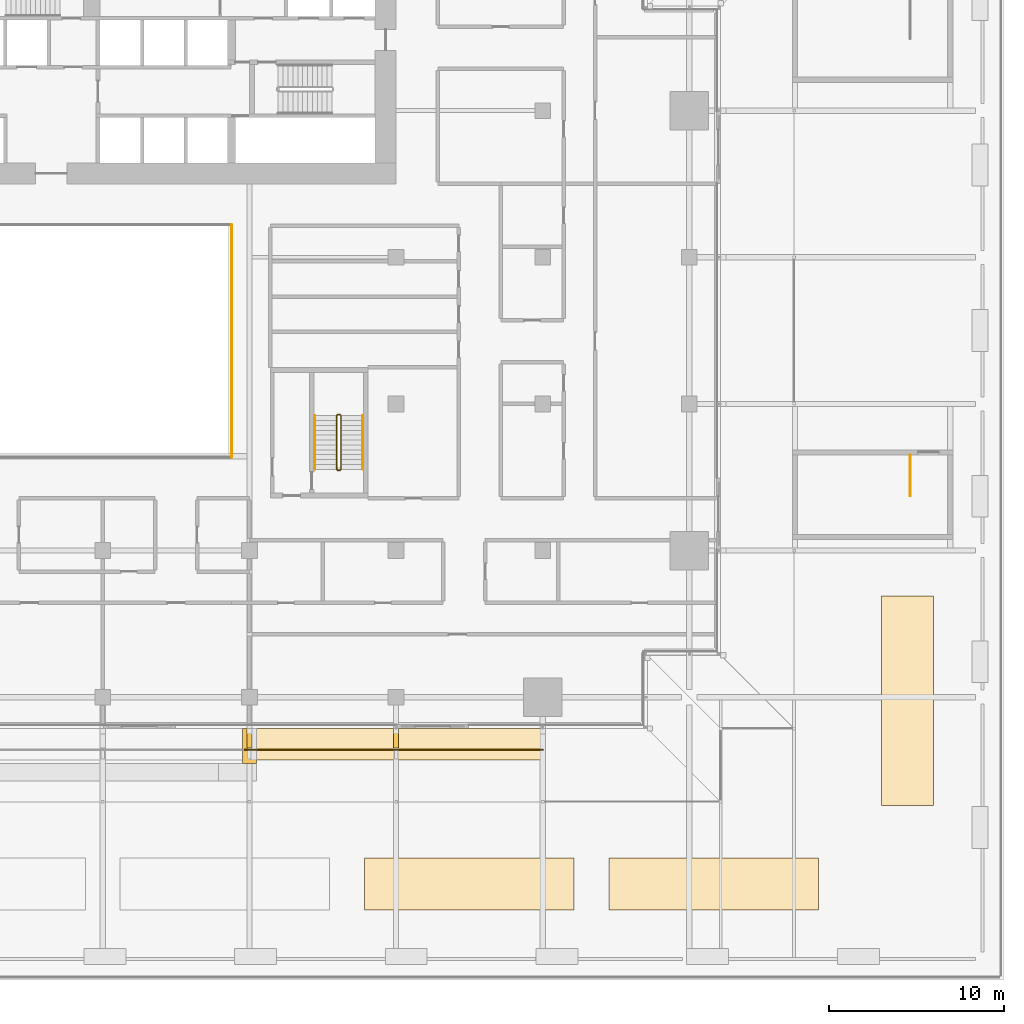
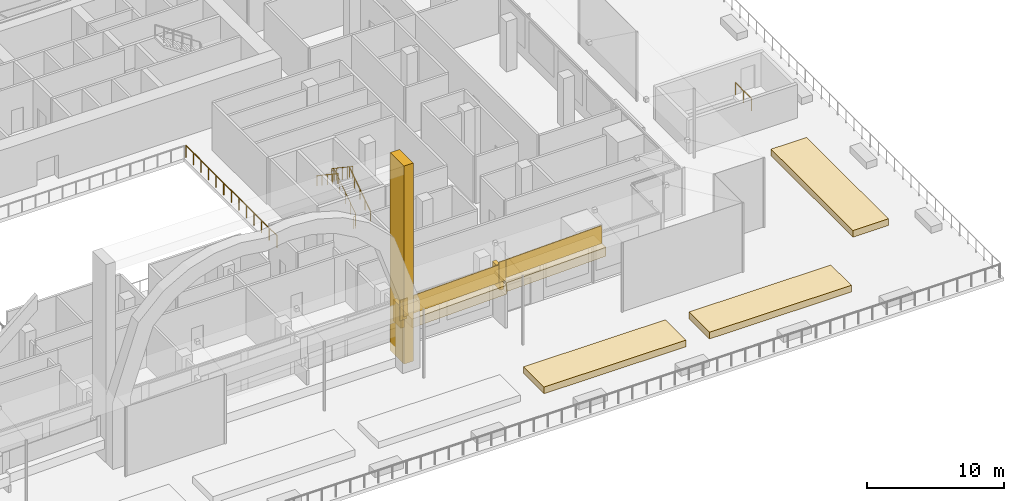
# One storey, part 49 of 60: 10 railings, 8 coverings.
"""IFC4 building model written with IfcOpenShell, lengths in metres."""

from ifc_helpers import new_model, si_unit, direction, frame, origin, origin_2d, place, context, subcontext, project, spatial, polyline, rectangle, circle, outline, extrude, material, layer, layer_set, type_object, element, save


model = new_model("IFC4")

# Units and contexts
model_context = context("Model", 3, precision=1e-05, world=origin(), true_north=direction((0.0, 1.0)))
body_context = subcontext(model_context, "Body", "Model", "MODEL_VIEW")
ifc_project = project(units=[si_unit("LENGTHUNIT", "METRE"), si_unit("AREAUNIT", "SQUARE_METRE"), si_unit("VOLUMEUNIT", "CUBIC_METRE"), si_unit("PLANEANGLEUNIT", "RADIAN"), si_unit("MASSUNIT", "GRAM", prefix="KILO")], contexts=[model_context])

# Site, building, storey
site_placement = place(None, origin())
site = spatial("IfcSite", under=ifc_project, at=site_placement, CompositionType="ELEMENT")
building_placement = place(site_placement, origin())
building = spatial("IfcBuilding", under=site, at=building_placement, Name="Saffron Gate Tower", CompositionType="ELEMENT")
storey_placement = place(building_placement, frame((0.0, 0.0, 19.199951171875)))
storey = spatial("IfcBuildingStorey", under=building, at=storey_placement, Name="L03", CompositionType="ELEMENT", Elevation=19.199951171875)

# Railings
ifc_material_1 = material(Name="Stainless steel and laminated glass", Category="steel")
railing_type_1 = type_object("IfcRailingType", Name="AG1 Atrium edge guard 1100", PredefinedType="GUARDRAIL", material=ifc_material_1)
railing_1_placement = place(storey_placement, frame((99.179931640625, 58.860107421875, 0.0)))
element("IfcRailing", 1, at=railing_1_placement, inside=storey, type_object=railing_type_1, Name="Guard S1-3", PredefinedType="GUARDRAIL", context=body_context, shape_type="SweptSolid", body=[
    extrude(circle(Radius=0.02392578125, at=origin_2d()), frame((0.0, 0.0, 1.076171875), z_axis=(0.0, -1.0, 0.0), x_axis=(1.0, 0.0, 0.0)), (0.0, 0.0, 1.0), 13.320068359375),
    extrude(circle(Radius=0.02099609375, at=origin_2d()), origin(), (0.0, 0.0, 1.0), 1.052001953125),
    extrude(circle(Radius=0.02099609375, at=origin_2d()), frame((0.0, -1.110107421875, 0.0)), (0.0, 0.0, 1.0), 1.052001953125),
    extrude(circle(Radius=0.02099609375, at=origin_2d()), frame((0.0, -2.219970703125, 0.0)), (0.0, 0.0, 1.0), 1.052001953125),
    extrude(circle(Radius=0.02099609375, at=origin_2d()), frame((0.0, -3.330078125, 0.0)), (0.0, 0.0, 1.0), 1.052001953125),
    extrude(circle(Radius=0.02099609375, at=origin_2d()), frame((0.0, -4.43994140625, 0.0)), (0.0, 0.0, 1.0), 1.052001953125),
    extrude(circle(Radius=0.02099609375, at=origin_2d()), frame((0.0, -5.550048828125, 0.0)), (0.0, 0.0, 1.0), 1.052001953125),
    extrude(circle(Radius=0.02099609375, at=origin_2d()), frame((0.0, -6.66015625, 0.0)), (0.0, 0.0, 1.0), 1.052001953125),
    extrude(circle(Radius=0.02099609375, at=origin_2d()), frame((0.0, -7.77001953125, 0.0)), (0.0, 0.0, 1.0), 1.052001953125),
    extrude(circle(Radius=0.02099609375, at=origin_2d()), frame((0.0, -8.880126953125, 0.0)), (0.0, 0.0, 1.0), 1.052001953125),
    extrude(circle(Radius=0.02099609375, at=origin_2d()), frame((0.0, -9.989990234375, 0.0)), (0.0, 0.0, 1.0), 1.052001953125),
    extrude(circle(Radius=0.02099609375, at=origin_2d()), frame((0.0, -11.10009765625, 0.0)), (0.0, 0.0, 1.0), 1.052001953125),
    extrude(circle(Radius=0.02099609375, at=origin_2d()), frame((0.0, -12.2099609375, 0.0)), (0.0, 0.0, 1.0), 1.052001953125),
    extrude(circle(Radius=0.02099609375, at=origin_2d()), frame((0.0, -13.320068359375, 0.0)), (0.0, 0.0, 1.0), 1.052001953125),
])
railing_type_2 = type_object("IfcRailingType", Name="CR1 Stair guard 1100", PredefinedType="GUARDRAIL", material=ifc_material_1)
railing_2_placement = place(storey_placement, frame((105.25, 44.800048828125, 0.0)))
element("IfcRailing", 2, at=railing_2_placement, inside=storey, type_object=railing_type_2, Name="L03 ST-E stair guard 1", PredefinedType="GUARDRAIL", context=body_context, shape_type="SweptSolid", body=[
    extrude(circle(Radius=0.02392578125, at=origin_2d()), frame((0.0, 0.0, 1.076171875), z_axis=(1.0, 0.0, 0.0), x_axis=(0.0, 1.0, 0.0)), (0.0, 0.0, 1.0), 0.14990234375),
    extrude(circle(Radius=0.02392578125, at=origin_2d()), frame((0.14990234375, 0.0, 1.076171875), z_axis=(0.249726431254, 0.249726431254, 0.935560483917), x_axis=(-0.707106781187, 0.707106781187, 0.0)), (0.0, 0.0, 1.0), 0.200439453125),
    extrude(circle(Radius=0.02392578125, at=origin_2d()), frame((0.199951171875, 0.050048828125, 1.263671875), z_axis=(0.0, 0.830893310487, 0.556431762742), x_axis=(-1.0, 0.0, 0.0)), (0.0, 0.0, 1.0), 3.70654296875),
    extrude(circle(Radius=0.02392578125, at=origin_2d()), frame((0.199951171875, 3.1298828125, 3.326171875), z_axis=(-0.707106781187, 0.707106781187, 0.0), x_axis=(-0.707106781187, -0.707106781187, 0.0)), (0.0, 0.0, 1.0), 0.07080078125),
    extrude(circle(Radius=0.02392578125, at=origin_2d()), frame((0.14990234375, 3.179931640625, 3.326171875), z_axis=(-1.0, 0.0, 0.0), x_axis=(0.0, -1.0, 0.0)), (0.0, 0.0, 1.0), 0.14990234375),
    extrude(circle(Radius=0.02392578125, at=origin_2d()), frame((0.0, 3.179931640625, 3.326171875), z_axis=(-0.249726431254, -0.249726431254, 0.935560483917), x_axis=(0.707106781187, -0.707106781187, 0.0)), (0.0, 0.0, 1.0), 0.200439453125),
    extrude(circle(Radius=0.02392578125, at=origin_2d()), frame((-0.050048828125, 3.1298828125, 3.513671875), z_axis=(0.0, -0.830893310487, 0.556431762742), x_axis=(1.0, 0.0, 0.0)), (0.0, 0.0, 1.0), 3.70654296875),
    extrude(circle(Radius=0.02099609375, at=origin_2d()), origin(), (0.0, 0.0, 1.0), 1.052001953125),
    extrude(circle(Radius=0.02099609375, at=origin_2d()), frame((0.14990234375, 0.0, 0.0)), (0.0, 0.0, 1.0), 1.052001953125),
    extrude(circle(Radius=0.02099609375, at=origin_2d()), frame((0.199951171875, 0.050048828125, 0.1875)), (0.0, 0.0, 1.0), 1.052001953125),
    extrude(circle(Radius=0.02099609375, at=origin_2d()), frame((0.199951171875, 0.820068359375, 0.703125)), (0.0, 0.0, 1.0), 1.052001953125),
    extrude(circle(Radius=0.02099609375, at=origin_2d()), frame((0.199951171875, 1.58984375, 1.21875)), (0.0, 0.0, 1.0), 1.052001953125),
    extrude(circle(Radius=0.02099609375, at=origin_2d()), frame((0.199951171875, 2.35986328125, 1.734375)), (0.0, 0.0, 1.0), 1.052001953125),
    extrude(circle(Radius=0.02099609375, at=origin_2d()), frame((0.199951171875, 3.1298828125, 2.25)), (0.0, 0.0, 1.0), 1.052001953125),
    extrude(circle(Radius=0.02099609375, at=origin_2d()), frame((0.14990234375, 3.179931640625, 2.25)), (0.0, 0.0, 1.0), 1.052001953125),
    extrude(circle(Radius=0.02099609375, at=origin_2d()), frame((0.0, 3.179931640625, 2.25)), (0.0, 0.0, 1.0), 1.052001953125),
    extrude(circle(Radius=0.02099609375, at=origin_2d()), frame((-0.050048828125, 3.1298828125, 2.4375)), (0.0, 0.0, 1.0), 1.052001953125),
    extrude(circle(Radius=0.02099609375, at=origin_2d()), frame((-0.050048828125, 2.35986328125, 2.953125)), (0.0, 0.0, 1.0), 1.052001953125),
    extrude(circle(Radius=0.02099609375, at=origin_2d()), frame((-0.050048828125, 1.58984375, 3.46875)), (0.0, 0.0, 1.0), 1.052001953125),
    extrude(circle(Radius=0.02099609375, at=origin_2d()), frame((-0.050048828125, 0.820068359375, 3.984375)), (0.0, 0.0, 1.0), 1.052001953125),
    extrude(circle(Radius=0.02099609375, at=origin_2d()), frame((-0.050048828125, 0.050048828125, 4.5)), (0.0, 0.0, 1.0), 1.052001953125),
])
railing_3_placement = place(storey_placement, frame((138.050048828125, 45.675048828125, 0.0)))
element("IfcRailing", 3, at=railing_3_placement, inside=storey, type_object=railing_type_2, Name="L03 ST-K top well guard 1", PredefinedType="GUARDRAIL", context=body_context, shape_type="SweptSolid", body=[
    extrude(circle(Radius=0.02392578125, at=origin_2d()), frame((0.0, 0.0, 1.076171875), z_axis=(0.0, -1.0, 0.0), x_axis=(1.0, 0.0, 0.0)), (0.0, 0.0, 1.0), 2.35009765625),
    extrude(circle(Radius=0.02099609375, at=origin_2d()), origin(), (0.0, 0.0, 1.0), 1.052001953125),
    extrude(circle(Radius=0.02099609375, at=origin_2d()), frame((0.0, -1.175048828125, 0.0)), (0.0, 0.0, 1.0), 1.052001953125),
    extrude(circle(Radius=0.02099609375, at=origin_2d()), frame((0.0, -2.35009765625, 0.0)), (0.0, 0.0, 1.0), 1.052001953125),
])
ifc_material_2 = material(Name="Stainless steel", Category="steel")
railing_type_3 = type_object("IfcRailingType", Name="CR2 Stair handrail 900", PredefinedType="HANDRAIL", material=ifc_material_2)
railing_4_placement = place(storey_placement, frame((106.699951171875, 44.85009765625, 0.1875)))
element("IfcRailing", 4, at=railing_4_placement, inside=storey, type_object=railing_type_3, Name="L03 ST-E stair handrail 1", PredefinedType="HANDRAIL", context=body_context, shape_type="SweptSolid", body=[
    extrude(circle(Radius=0.02392578125, at=origin_2d()), frame((0.0, 0.0, 0.8759765625), z_axis=(0.0, 0.830893310487, 0.556431762742), x_axis=(-1.0, 0.0, 0.0)), (0.0, 0.0, 1.0), 3.70654296875),
    extrude(circle(Radius=0.02099609375, at=origin_2d()), origin(), (0.0, 0.0, 1.0), 0.851806640625),
    extrude(circle(Radius=0.02099609375, at=origin_2d()), frame((0.0, 0.77001953125, 0.515625)), (0.0, 0.0, 1.0), 0.851806640625),
    extrude(circle(Radius=0.02099609375, at=origin_2d()), frame((0.0, 1.5400390625, 1.03125)), (0.0, 0.0, 1.0), 0.851806640625),
    extrude(circle(Radius=0.02099609375, at=origin_2d()), frame((0.0, 2.309814453125, 1.546875)), (0.0, 0.0, 1.0), 0.851806640625),
    extrude(circle(Radius=0.02099609375, at=origin_2d()), frame((0.0, 3.079833984375, 2.0625)), (0.0, 0.0, 1.0), 0.851806640625),
])
railing_5_placement = place(storey_placement, frame((103.949951171875, 47.929931640625, 2.4375)))
element("IfcRailing", 5, at=railing_5_placement, inside=storey, type_object=railing_type_3, Name="L03 ST-E stair handrail 2", PredefinedType="HANDRAIL", context=body_context, shape_type="SweptSolid", body=[
    extrude(circle(Radius=0.02392578125, at=origin_2d()), frame((0.0, 0.0, 0.8759765625), z_axis=(0.0, -0.830893310487, 0.556431762742), x_axis=(1.0, 0.0, 0.0)), (0.0, 0.0, 1.0), 3.70654296875),
    extrude(circle(Radius=0.02099609375, at=origin_2d()), origin(), (0.0, 0.0, 1.0), 0.851806640625),
    extrude(circle(Radius=0.02099609375, at=origin_2d()), frame((0.0, -0.77001953125, 0.515625)), (0.0, 0.0, 1.0), 0.851806640625),
    extrude(circle(Radius=0.02099609375, at=origin_2d()), frame((0.0, -1.5400390625, 1.03125)), (0.0, 0.0, 1.0), 0.851806640625),
    extrude(circle(Radius=0.02099609375, at=origin_2d()), frame((0.0, -2.309814453125, 1.546875)), (0.0, 0.0, 1.0), 0.851806640625),
    extrude(circle(Radius=0.02099609375, at=origin_2d()), frame((0.0, -3.079833984375, 2.0625)), (0.0, 0.0, 1.0), 0.851806640625),
])

# Coverings
ifc_material_3 = material(Name="Ceramic-printed bronze insulated panel")
ifc_layer_1 = layer(ifc_material_3, 0.800048828125)
ifc_layer_set_1 = layer_set([ifc_layer_1], Name="FN1 atrium fin")
covering_type_1 = type_object("IfcCoveringType", Name="FN1 atrium fin", PredefinedType="CLADDING", material=ifc_layer_set_1)
covering_1_placement = place(storey_placement, origin())
element("IfcCovering", 6, at=covering_1_placement, inside=storey, type_object=covering_type_1, Name="CLADDING atrium fin", PredefinedType="CLADDING", context=body_context, shape_type="SweptSolid", body=[
    extrude(outline(polyline([(99.800048828125, 30.0), (100.60009765625, 30.0), (100.60009765625, 28.0), (99.800048828125, 28.0), (99.800048828125, 30.0)])), origin(), (0.0, 0.0, 1.0), 17.719970703125),
])
ifc_material_4 = material(Name="Timber, thermally modified ash", Category="wood")
ifc_layer_2 = layer(ifc_material_4, 0.800048828125)
ifc_layer_set_2 = layer_set([ifc_layer_2], Name="LD1 ledge timber")
covering_type_2 = type_object("IfcCoveringType", Name="LD1 ledge timber", PredefinedType="CLADDING", material=ifc_layer_set_2)
covering_2_placement = place(storey_placement, frame((100.60009765625, 30.0, 3.6259765625), z_axis=(-0.028796646555, 0.0, 0.999585290582), x_axis=(0.999585290582, 0.0, 0.028796646555)))
element("IfcCovering", 7, at=covering_2_placement, inside=storey, type_object=covering_type_2, Name="LEDGE", PredefinedType="CLADDING", context=body_context, shape_type="SweptSolid", body=[
    extrude(outline(polyline([(0.0, 0.0), (8.003319051788862, 0.0), (8.003319051788862, -1.800048828125), (0.0, -1.800048828125), (0.0, 0.0)])), origin(), (0.0, 0.0, -1.0), 0.800048828125),
])
covering_3_placement = place(storey_placement, frame((108.60009765625, 30.0, 4.07666015625), z_axis=(-0.028791175352, 0.0, 0.999585448184), x_axis=(0.999585448184, 0.0, 0.028791175352)))
element("IfcCovering", 8, at=covering_3_placement, inside=storey, type_object=covering_type_2, Name="LEDGE", PredefinedType="CLADDING", context=body_context, shape_type="SweptSolid", body=[
    extrude(outline(polyline([(0.0, 0.0), (8.403385982666892, 0.0), (8.403385982666892, -1.800048828125), (0.0, -1.800048828125), (0.0, 0.0)])), origin(), (0.0, 0.0, -1.0), 0.800048828125),
])
ifc_layer_3 = layer(ifc_material_4, 0.300048828125)
ifc_layer_set_3 = layer_set([ifc_layer_3], Name="LD3 ledge riser fin")
covering_type_3 = type_object("IfcCoveringType", Name="LD3 ledge riser fin", PredefinedType="CLADDING", material=ifc_layer_set_3)
covering_4_placement = place(storey_placement, frame((100.199951171875, 29.43994140625, 2.572265625), z_axis=(0.0, 0.0, 1.0), x_axis=(1.0, 0.0, 0.0)))
element("IfcCovering", 9, at=covering_4_placement, inside=storey, type_object=covering_type_3, Name="LEDGE riser fin", PredefinedType="CLADDING", context=body_context, shape_type="SweptSolid", body=[
    extrude(rectangle(XDim=0.300048828125, YDim=1.1201171875, at=origin_2d()), origin(), (0.0, 0.0, 1.0), 1.93115234375),
])
covering_5_placement = place(storey_placement, frame((108.60009765625, 29.43994140625, 3.056640625), z_axis=(0.0, 0.0, 1.0), x_axis=(1.0, 0.0, 0.0)))
element("IfcCovering", 10, at=covering_5_placement, inside=storey, type_object=covering_type_3, Name="LEDGE riser fin", PredefinedType="CLADDING", context=body_context, shape_type="SweptSolid", body=[
    extrude(rectangle(XDim=0.300048828125, YDim=1.1201171875, at=origin_2d()), origin(), (0.0, 0.0, 1.0), 1.920166015625),
])

# Railings
railing_type_4 = type_object("IfcRailingType", Name="LG1 ledge balustrade", PredefinedType="BALUSTRADE", material=ifc_material_4)
railing_6_placement = place(storey_placement, frame((100.199951171875, 28.800048828125, 3.603515625)))
element("IfcRailing", 11, at=railing_6_placement, inside=storey, type_object=railing_type_4, Name="LEDGE BALUSTRADE", PredefinedType="BALUSTRADE", context=body_context, shape_type="SweptSolid", body=[
    extrude(rectangle(XDim=0.06005859375, YDim=1.60009765625, at=origin_2d()), frame((0.0, 0.0, 0.800048828125), z_axis=(0.999589096284, 0.0, 0.028664238881), x_axis=(0.0, 1.0, 0.0)), (0.0, 0.0, 1.0), 0.400390625),
])
railing_7_placement = place(storey_placement, frame((99.89990234375, 28.800048828125, 3.372314453125)))
element("IfcRailing", 12, at=railing_7_placement, inside=storey, type_object=railing_type_4, Name="LEDGE BALUSTRADE", PredefinedType="BALUSTRADE", context=body_context, shape_type="SweptSolid", body=[
    extrude(rectangle(XDim=0.06005859375, YDim=1.8310546875, at=origin_2d()), frame((0.0, 0.0, 0.91552734375), z_axis=(1.0, 0.0, 0.0), x_axis=(0.0, 1.0, 0.0)), (0.0, 0.0, 1.0), 0.60009765625),
])
railing_8_placement = place(storey_placement, frame((100.60009765625, 28.800048828125, 3.6259765625)))
element("IfcRailing", 13, at=railing_8_placement, inside=storey, type_object=railing_type_4, Name="LEDGE BALUSTRADE", PredefinedType="BALUSTRADE", context=body_context, shape_type="SweptSolid", body=[
    extrude(rectangle(XDim=0.06005859375, YDim=1.60009765625, at=origin_2d()), frame((0.0, 0.0, 0.800048828125), z_axis=(0.999585290582, 0.0, 0.028796646555), x_axis=(0.0, 1.0, 0.0)), (0.0, 0.0, 1.0), 8.00341796875),
])
railing_9_placement = place(storey_placement, frame((108.60009765625, 28.800048828125, 4.07666015625)))
element("IfcRailing", 14, at=railing_9_placement, inside=storey, type_object=railing_type_4, Name="LEDGE BALUSTRADE", PredefinedType="BALUSTRADE", context=body_context, shape_type="SweptSolid", body=[
    extrude(rectangle(XDim=0.06005859375, YDim=1.60009765625, at=origin_2d()), frame((0.0, 0.0, 0.800048828125), z_axis=(0.999585448184, 0.0, 0.028791175352), x_axis=(0.0, 1.0, 0.0)), (0.0, 0.0, 1.0), 8.4033203125),
])
railing_10_placement = place(storey_placement, frame((108.300048828125, 28.800048828125, 3.8564453125)))
element("IfcRailing", 15, at=railing_10_placement, inside=storey, type_object=railing_type_4, Name="LEDGE BALUSTRADE", PredefinedType="BALUSTRADE", context=body_context, shape_type="SweptSolid", body=[
    extrude(rectangle(XDim=0.06005859375, YDim=1.820068359375, at=origin_2d()), frame((0.0, 0.0, 0.91015625), z_axis=(1.0, 0.0, 0.0), x_axis=(0.0, 1.0, 0.0)), (0.0, 0.0, 1.0), 0.599853515625),
])

# Coverings
ifc_material_5 = material(Name="Planted soil bed in timber kerb", Category="wood")
ifc_layer_4 = layer(ifc_material_5, 0.60009765625)
ifc_layer_set_4 = layer_set([ifc_layer_4], Name="PL2 planted bed")
covering_type_4 = type_object("IfcCoveringType", Name="PL2 planted bed", PredefinedType="CLADDING", material=ifc_layer_set_4)
covering_6_placement = place(storey_placement, origin())
element("IfcCovering", 16, at=covering_6_placement, inside=storey, type_object=covering_type_4, Name="PLANTED BED play deck", PredefinedType="CLADDING", context=body_context, shape_type="SweptSolid", body=[
    extrude(outline(polyline([(106.800048828125, 19.60009765625), (118.800048828125, 19.60009765625), (118.800048828125, 22.60009765625), (106.800048828125, 22.60009765625), (106.800048828125, 19.60009765625)])), origin(), (0.0, 0.0, 1.0), 0.60009765625),
])
covering_7_placement = place(storey_placement, origin())
element("IfcCovering", 17, at=covering_7_placement, inside=storey, type_object=covering_type_4, Name="PLANTED BED play deck", PredefinedType="CLADDING", context=body_context, shape_type="SweptSolid", body=[
    extrude(outline(polyline([(120.800048828125, 19.60009765625), (132.800048828125, 19.60009765625), (132.800048828125, 22.60009765625), (120.800048828125, 22.60009765625), (120.800048828125, 19.60009765625)])), origin(), (0.0, 0.0, 1.0), 0.60009765625),
])
covering_8_placement = place(storey_placement, origin())
element("IfcCovering", 18, at=covering_8_placement, inside=storey, type_object=covering_type_4, Name="PLANTED BED play deck", PredefinedType="CLADDING", context=body_context, shape_type="SweptSolid", body=[
    extrude(outline(polyline([(136.39990234375, 25.60009765625), (139.39990234375, 25.60009765625), (139.39990234375, 37.60009765625), (136.39990234375, 37.60009765625), (136.39990234375, 25.60009765625)])), origin(), (0.0, 0.0, 1.0), 0.60009765625),
])

save(model, "model.ifc")
